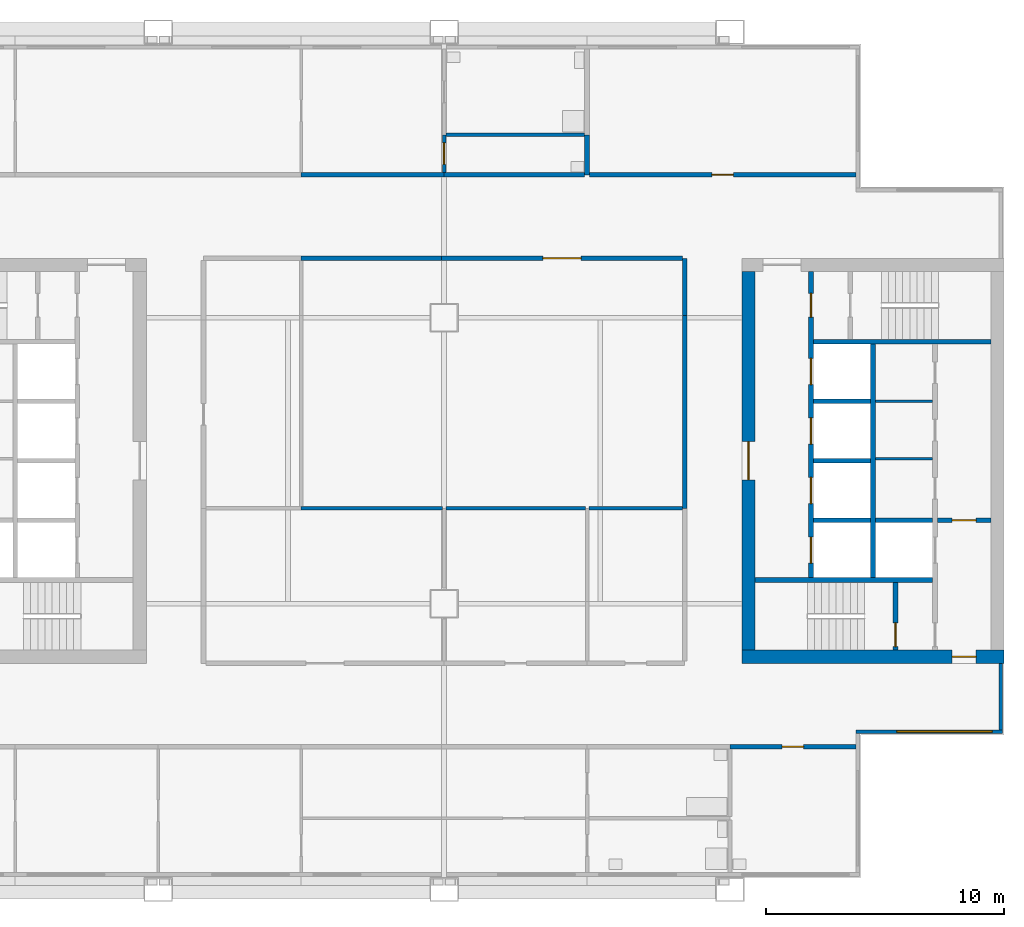
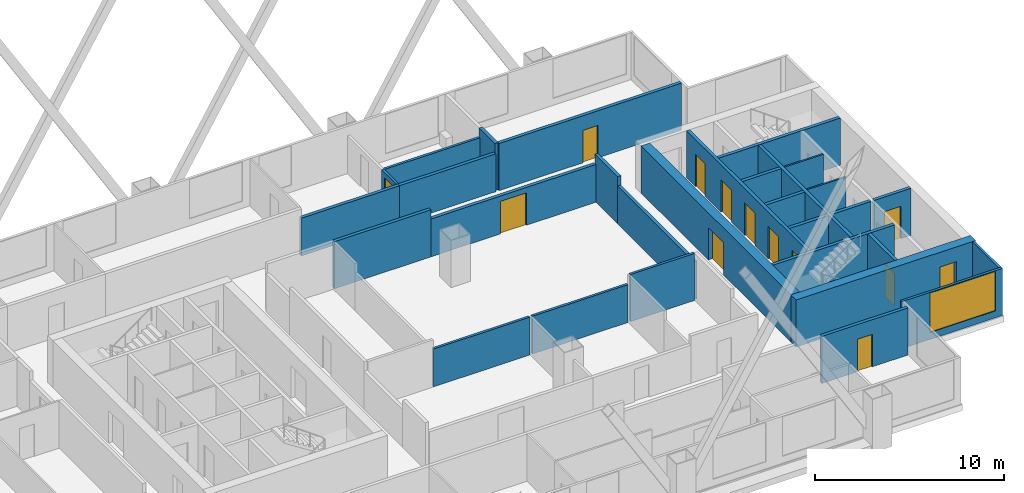
# One storey, part 5 of 9: 30 walls, 13 doors, 1 window, 14 openings.
"""IFC4 building model written with IfcOpenShell, lengths in metres."""

import ifcopenshell
import ifcopenshell.guid

model = None  # the IFC model being written
_history = None  # IfcOwnerHistory: only IFC2X3 demands one
_inside = {}  # id of a spatial element -> (the spatial element, [elements in it])
_under = {}  # id of a project, library or spatial element -> (it, [spatial elements below it])
_declared = {}  # id of a project -> (the project, [libraries it declares])
_typed = {}  # id of a type object -> (the type object, [elements of that type])
_made_of = {}  # id of a material, layer set ... -> (it, [elements and type objects made of it])


def new_model(schema):
    """Start an empty IFC model of exactly this schema.

    Asked for "IFC4X3", IfcOpenShell would pick the latest addendum, in which some entities
    have other attributes; the version numbers below select the first issue.
    IFC2X3 requires an IfcOwnerHistory on every rooted entity: one is made here for all.
    """
    global model, _history
    if schema == "IFC4X3":
        model = ifcopenshell.file(schema_version=(4, 3, 0, 0))
    else:
        model = ifcopenshell.file(schema=schema)
    _inside.clear()
    _under.clear()
    _declared.clear()
    _typed.clear()
    _made_of.clear()
    _history = None
    if model.schema == "IFC2X3":
        org = make("IfcOrganization", Name="unknown")
        user = make(
            "IfcPersonAndOrganization",
            ThePerson=make("IfcPerson", FamilyName="unknown"),
            TheOrganization=org,
        )
        app = make(
            "IfcApplication",
            ApplicationDeveloper=org,
            Version="unknown",
            ApplicationFullName="unknown",
            ApplicationIdentifier="unknown",
        )
        _history = make(
            "IfcOwnerHistory",
            OwningUser=user,
            OwningApplication=app,
            ChangeAction="ADDED",
            CreationDate=0,
        )
    return model


def make(cls, **values):
    """One entity of the class cls with the attributes given. An attribute that is None is left unset."""
    return model.create_entity(
        cls, **{name: value for name, value in values.items() if value is not None}
    )


def rooted(cls, **values):
    """An entity with a GlobalId (a new one), such as an element, a storey or a relation."""
    return make(cls, GlobalId=ifcopenshell.guid.new(), OwnerHistory=_history, **values)


def si_unit(unit_type, name, prefix=None):
    """IfcSIUnit, for example si_unit("LENGTHUNIT", "METRE", prefix="MILLI")."""
    return make("IfcSIUnit", UnitType=unit_type, Prefix=prefix, Name=name)


def assignment(units):
    """IfcUnitAssignment: the units of a project."""
    return None if units is None else make("IfcUnitAssignment", Units=units)


def point(xyz):
    """IfcCartesianPoint."""
    return None if xyz is None else make("IfcCartesianPoint", Coordinates=xyz)


def direction(xyz):
    """IfcDirection."""
    return None if xyz is None else make("IfcDirection", DirectionRatios=xyz)


def frame(location, z_axis=None, x_axis=None):
    """IfcAxis2Placement3D, a coordinate frame: its origin and axes. An axis left out is left unset."""
    return make(
        "IfcAxis2Placement3D",
        Location=point(location),
        Axis=direction(z_axis),
        RefDirection=direction(x_axis),
    )


def frame_2d(location, x_axis=None):
    """IfcAxis2Placement2D, a coordinate frame in the plane: its origin and x axis."""
    return make(
        "IfcAxis2Placement2D", Location=point(location), RefDirection=direction(x_axis)
    )


def origin():
    """The frame at (0, 0, 0) with its axes left unset."""
    return frame((0.0, 0.0, 0.0))


def place(relative_to, where):
    """IfcLocalPlacement: puts the frame where relative to a parent placement (None: the world)."""
    return make(
        "IfcLocalPlacement", PlacementRelTo=relative_to, RelativePlacement=where
    )


def context(
    kind, dimensions, precision=None, world=None, true_north=None, identifier=None
):
    """IfcGeometricRepresentationContext, for example the 3D "Model" context."""
    return make(
        "IfcGeometricRepresentationContext",
        ContextIdentifier=identifier,
        ContextType=kind,
        CoordinateSpaceDimension=dimensions,
        Precision=precision,
        WorldCoordinateSystem=world,
        TrueNorth=true_north,
    )


def subcontext(parent, identifier, kind, view, scale=None):
    """IfcGeometricRepresentationSubContext, for example "Body" below "Model"."""
    return make(
        "IfcGeometricRepresentationSubContext",
        ContextIdentifier=identifier,
        ContextType=kind,
        ParentContext=parent,
        TargetScale=scale,
        TargetView=view,
    )


def project(units=None, contexts=None):
    """IfcProject with its units and contexts."""
    return rooted(
        "IfcProject",
        Name="project",
        RepresentationContexts=contexts,
        UnitsInContext=assignment(units),
    )


def spatial(cls, under=None, at=None, **own):
    """A site, building, storey or space (cls), placed at a placement, below another one or the project."""
    s = rooted(cls, ObjectPlacement=at, **own)
    if under is not None:
        _under.setdefault(under.id(), (under, []))[1].append(s)
    return s


def profile(cls, at=None, kind="AREA", **sizes):
    """A parametric profile (cls). Its sizes go by their IFC names, for example OverallWidth=200.0."""
    return make(cls, ProfileType=kind, Position=at, **sizes)


def rectangle(**sizes):
    """IfcRectangleProfileDef."""
    return profile("IfcRectangleProfileDef", **sizes)


def extrude(swept, where, along, depth):
    """IfcExtrudedAreaSolid: the profile swept, set in the frame where, extruded along a direction by depth."""
    return make(
        "IfcExtrudedAreaSolid",
        SweptArea=swept,
        Position=where,
        ExtrudedDirection=direction(along),
        Depth=depth,
    )


def shape(context_of_items, identifier, shape_type, items):
    """IfcShapeRepresentation: the items that make up one representation, for example the "Body"."""
    return make(
        "IfcShapeRepresentation",
        ContextOfItems=context_of_items,
        RepresentationIdentifier=identifier,
        RepresentationType=shape_type,
        Items=items,
    )


def material(Name=None, Category=None):
    """IfcMaterial."""
    return make("IfcMaterial", Name=Name, Category=Category)


def layer(
    of_material, thickness, ventilated=None, Name=None, Category=None, Priority=None
):
    """IfcMaterialLayer: one layer of a wall or slab, of a material (None: an air gap)."""
    return make(
        "IfcMaterialLayer",
        Material=of_material,
        LayerThickness=thickness,
        IsVentilated=ventilated,
        Name=Name,
        Category=Category,
        Priority=Priority,
    )


def layer_set(layers, Name=None):
    """IfcMaterialLayerSet."""
    return make("IfcMaterialLayerSet", MaterialLayers=layers, LayerSetName=Name)


def made_of(thing, what):
    """Note that an element or type object is made of a material, layer set ...; save() writes the relation."""
    if what is not None:
        _made_of.setdefault(what.id(), (what, []))[1].append(thing)
    return thing


def type_object(cls, material=None, **own):
    """A type object (cls), such as IfcWallType, which elements share."""
    return made_of(rooted(cls, **own), material)


def element(
    cls,
    number,
    at=None,
    inside=None,
    cuts=None,
    type_object=None,
    material=None,
    context=None,
    identifier="Body",
    shape_type=None,
    held_by="IfcProductDefinitionShape",
    body=None,
    shapes=None,
    **own,
):
    """One element of the class cls, such as IfcWall. Its Tag is "e" and its number.

    at: its placement. inside: the storey or other place that contains it. cuts: it is an
    opening in that element (IfcRelVoidsElement). A single representation is given by context,
    identifier, shape_type and body (its items); several are given by shapes. held_by: the class
    of the entity that holds the representations. save() writes the other relations.
    """
    e = rooted(cls, Tag="e%d" % number, ObjectPlacement=at, **own)
    if body is not None:
        shapes = [shape(context, identifier, shape_type, body)]
    if shapes is not None:
        e.Representation = make(held_by, Representations=shapes)
    if inside is not None:
        _inside.setdefault(inside.id(), (inside, []))[1].append(e)
    if cuts is not None:
        rooted(
            "IfcRelVoidsElement", RelatingBuildingElement=cuts, RelatedOpeningElement=e
        )
    if type_object is not None:
        _typed.setdefault(type_object.id(), (type_object, []))[1].append(e)
    return made_of(e, material)


def fill(opening, filler):
    """IfcRelFillsElement: the door or window that sits in an opening."""
    return rooted(
        "IfcRelFillsElement",
        RelatingOpeningElement=opening,
        RelatedBuildingElement=filler,
    )


def aggregate(whole, parts):
    """IfcRelAggregates: a whole, such as a stair, and the parts it consists of."""
    return rooted("IfcRelAggregates", RelatingObject=whole, RelatedObjects=parts)


def save(model, path):
    """Write the relations noted so far, then the file.

    IfcRelAggregates (storeys below a building ...), IfcRelContainedInSpatialStructure (elements
    in a storey), IfcRelDefinesByType, IfcRelAssociatesMaterial and IfcRelDeclares: one each for
    every whole, place, type object, material and project.
    """
    for whole, parts in _under.values():
        aggregate(whole, parts)
    for where, things in _inside.values():
        rooted(
            "IfcRelContainedInSpatialStructure",
            RelatedElements=things,
            RelatingStructure=where,
        )
    for kind, things in _typed.values():
        rooted("IfcRelDefinesByType", RelatedObjects=things, RelatingType=kind)
    for what, things in _made_of.values():
        rooted("IfcRelAssociatesMaterial", RelatedObjects=things, RelatingMaterial=what)
    for by, libraries in _declared.values():
        rooted("IfcRelDeclares", RelatingContext=by, RelatedDefinitions=libraries)
    model.write(path)


model = new_model("IFC4")

# Units and contexts
model_context = context("Model", 3, precision=1e-05, world=origin(), true_north=direction((0.0, 1.0)))
body_context = subcontext(model_context, "Body", "Model", "MODEL_VIEW")
ifc_project = project(units=[si_unit("LENGTHUNIT", "METRE"), si_unit("AREAUNIT", "SQUARE_METRE"), si_unit("VOLUMEUNIT", "CUBIC_METRE"), si_unit("PLANEANGLEUNIT", "RADIAN"), si_unit("MASSUNIT", "GRAM", prefix="KILO")], contexts=[model_context])

# Site, building, storey
site_placement = place(None, origin())
site = spatial("IfcSite", under=ifc_project, at=site_placement, CompositionType="ELEMENT")
building_placement = place(site_placement, origin())
building = spatial("IfcBuilding", under=site, at=building_placement, Name="Kitamizu Gate Tower and Museum", CompositionType="ELEMENT")
storey_placement = place(building_placement, frame((0.0, 0.0, 192.75)))
storey = spatial("IfcBuildingStorey", under=building, at=storey_placement, Name="L51", CompositionType="ELEMENT", Elevation=192.75)

# Wall, opening, door
ifc_material_1 = material(Name="Concrete Fc42", Category="concrete")
ifc_layer_1 = layer(ifc_material_1, 0.550048828125)
ifc_layer_set_1 = layer_set([ifc_layer_1], Name="Concrete Fc42")
wall_type_1 = type_object("IfcWallType", Name="Core wall 550", PredefinedType="SHEAR", material=ifc_layer_set_1)
wall_1_placement = place(storey_placement, frame((59.5, 21.77490234375, 0.0), z_axis=(0.0, 0.0, 1.0), x_axis=(-1.0, 0.0, 0.0)))
wall_1 = element("IfcWall", 1, at=wall_1_placement, inside=storey, type_object=wall_type_1, Name="Core wall ES", PredefinedType="SHEAR", context=body_context, shape_type="SweptSolid", body=[
    extrude(rectangle(XDim=11.0, YDim=0.550048828125, at=frame_2d((5.5, 0.0))), origin(), (0.0, 0.0, 1.0), 3.050048828125),
])
opening_1_placement = place(wall_1_placement, frame((1.175048828125, 0.0, 0.0)))
opening_1 = element("IfcOpeningElement", 2, at=opening_1_placement, cuts=wall_1, Name="Opening L51-047", PredefinedType="OPENING", context=body_context, shape_type="SweptSolid", body=[
    extrude(rectangle(XDim=1.0, YDim=2.10009765625, at=frame_2d((0.5, 1.050048828125))), frame((0.0, 0.28515625, 0.0), z_axis=(0.0, -1.0, 0.0), x_axis=(1.0, 0.0, 0.0)), (0.0, 0.0, 1.0), 0.570068359375),
])
ifc_material_2 = material(Name="Hollow metal door set")
door_type_1 = type_object("IfcDoorType", Name="Fire door 1000", OperationType="NOTDEFINED", PredefinedType="DOOR", material=ifc_material_2)
door_1_placement = place(opening_1_placement, frame((1.0, 0.0, 0.0), x_axis=(-1.0, 0.0, 0.0)))
door_1 = element("IfcDoor", 3, at=door_1_placement, inside=storey, type_object=door_type_1, Name="Fire-fighting lobby door L51-047", OperationType="SINGLE_SWING_RIGHT", OverallHeight=2.10009765625, OverallWidth=1.0, PredefinedType="DOOR", context=body_context, shape_type="SweptSolid", body=[
    extrude(rectangle(XDim=1.0, YDim=2.10009765625, at=frame_2d((0.5, 1.050048828125))), frame((0.0, 0.02490234375, 0.0), z_axis=(0.0, -1.0, 0.0), x_axis=(1.0, 0.0, 0.0)), (0.0, 0.0, 1.0), 0.050048828125),
])
fill(opening_1, door_1)

wall_2_placement = place(storey_placement, frame((48.77490234375, 22.050048828125, 0.0), z_axis=(0.0, 0.0, 1.0), x_axis=(0.0, 1.0, 0.0)))
wall_2 = element("IfcWall", 4, at=wall_2_placement, inside=storey, type_object=wall_type_1, Name="Core wall EARC", PredefinedType="SHEAR", context=body_context, shape_type="SweptSolid", body=[
    extrude(rectangle(XDim=15.89990234375, YDim=0.550048828125, at=frame_2d((7.949951171875, 0.0))), origin(), (0.0, 0.0, 1.0), 3.050048828125),
])
opening_2_placement = place(wall_2_placement, frame((7.14990234375, 0.0, 0.0)))
opening_2 = element("IfcOpeningElement", 5, at=opening_2_placement, cuts=wall_2, Name="Opening L51-049", PredefinedType="OPENING", context=body_context, shape_type="SweptSolid", body=[
    extrude(rectangle(XDim=1.60009765625, YDim=2.10009765625, at=frame_2d((0.800048828125, 1.050048828125))), frame((0.0, 0.28515625, 0.0), z_axis=(0.0, -1.0, 0.0), x_axis=(1.0, 0.0, 0.0)), (0.0, 0.0, 1.0), 0.570068359375),
])
ifc_material_3 = material(Name="Timber door set", Category="wood")
door_type_2 = type_object("IfcDoorType", Name="Entrance door 1600", OperationType="DOUBLE_DOOR_SINGLE_SWING", PredefinedType="DOOR", material=ifc_material_3)
door_2_placement = place(opening_2_placement, origin())
door_2 = element("IfcDoor", 6, at=door_2_placement, inside=storey, type_object=door_type_2, Name="Lobby door L51-049", OperationType="DOUBLE_DOOR_SINGLE_SWING", OverallHeight=2.10009765625, OverallWidth=1.60009765625, PredefinedType="DOOR", context=body_context, shape_type="SweptSolid", body=[
    extrude(rectangle(XDim=1.60009765625, YDim=2.10009765625, at=frame_2d((0.800048828125, 1.050048828125))), frame((0.0, 0.02490234375, 0.0), z_axis=(0.0, -1.0, 0.0), x_axis=(1.0, 0.0, 0.0)), (0.0, 0.0, 1.0), 0.050048828125),
])
fill(opening_2, door_2)

# Walls
ifc_material_4 = material(Name="Gypsum board on galvanised stud")
ifc_layer_2 = layer(ifc_material_4, 0.10009765625)
ifc_layer_set_2 = layer_set([ifc_layer_2], Name="Gypsum board on galvanised stud")
wall_type_2 = type_object("IfcWallType", Name="Partition 100", PredefinedType="PARTITIONING", material=ifc_layer_set_2)
for number, where, z_axis, x_axis, name in (
    (7, (56.5, 30.08203125, 0.0), (0.0, 0.0, 1.0), (-1.0, 0.0, 0.0), "Partition EPF1"),
    (8, (56.5, 32.490966796875, 0.0), (0.0, 0.0, 1.0), (-1.0, 0.0, 0.0), "Partition EPF2"),
):
    element("IfcWall", number, at=place(storey_placement, frame(where, z_axis=z_axis, x_axis=x_axis)), inside=storey, type_object=wall_type_2, Name=name, PredefinedType="PARTITIONING", context=body_context, shape_type="SweptSolid", body=[
        extrude(rectangle(XDim=2.39990234375, YDim=0.10009765625, at=frame_2d((1.199951171875, 0.0))), origin(), (0.0, 0.0, 1.0), 3.050048828125),
    ])

# Wall, opening, door
ifc_material_5 = material(Name="Gypsum board on galvanised stud")
ifc_layer_3 = layer(ifc_material_5, 0.14990234375)
ifc_layer_set_3 = layer_set([ifc_layer_3], Name="Gypsum board on galvanised stud")
wall_type_3 = type_object("IfcWallType", Name="Partition 150", PredefinedType="PARTITIONING", material=ifc_layer_set_3)
wall_3_placement = place(storey_placement, frame((36.0, 42.10009765625, 0.0), z_axis=(0.0, 0.0, 1.0), x_axis=(0.0, 1.0, 0.0)))
wall_3 = element("IfcWall", 9, at=wall_3_placement, inside=storey, type_object=wall_type_3, Name="Partition L51-031", PredefinedType="PARTITIONING", context=body_context, shape_type="SweptSolid", body=[
    extrude(rectangle(XDim=1.579833984375, YDim=0.14990234375, at=frame_2d((0.7900390625, 0.0))), origin(), (0.0, 0.0, 1.0), 2.449951171875),
])
opening_3_placement = place(wall_3_placement, frame((0.340087890625, 0.0, 0.0)))
opening_3 = element("IfcOpeningElement", 10, at=opening_3_placement, cuts=wall_3, Name="Opening L51-015", PredefinedType="OPENING", context=body_context, shape_type="SweptSolid", body=[
    extrude(rectangle(XDim=0.89990234375, YDim=2.10009765625, at=frame_2d((0.449951171875, 1.050048828125))), frame((0.0, 0.0849609375, 0.0), z_axis=(0.0, -1.0, 0.0), x_axis=(1.0, 0.0, 0.0)), (0.0, 0.0, 1.0), 0.169921875),
])
ifc_material_6 = material(Name="Timber door set", Category="wood")
door_type_3 = type_object("IfcDoorType", Name="Bathroom door 900", OperationType="NOTDEFINED", PredefinedType="DOOR", material=ifc_material_6)
door_3_placement = place(opening_3_placement, frame((0.89990234375, 0.0, 0.0), x_axis=(-1.0, 0.0, 0.0)))
door_3 = element("IfcDoor", 11, at=door_3_placement, inside=storey, type_object=door_type_3, Name="Bathroom door L51-015", OperationType="SINGLE_SWING_LEFT", OverallHeight=2.10009765625, OverallWidth=0.89990234375, PredefinedType="DOOR", context=body_context, shape_type="SweptSolid", body=[
    extrude(rectangle(XDim=0.89990234375, YDim=2.10009765625, at=frame_2d((0.449951171875, 1.050048828125))), frame((0.0, 0.02490234375, 0.0), z_axis=(0.0, -1.0, 0.0), x_axis=(1.0, 0.0, 0.0)), (0.0, 0.0, 1.0), 0.050048828125),
])
fill(opening_3, door_3)

# Walls
wall_4_placement = place(storey_placement, frame((36.074951171875, 43.679931640625, 0.0), z_axis=(0.0, 0.0, 1.0), x_axis=(1.0, 0.0, 0.0)))
element("IfcWall", 12, at=wall_4_placement, inside=storey, type_object=wall_type_3, Name="Partition L51-033", PredefinedType="PARTITIONING", context=body_context, shape_type="SweptSolid", body=[
    extrude(rectangle(XDim=5.824951171875, YDim=0.14990234375, at=frame_2d((2.91259765625, 0.0))), origin(), (0.0, 0.0, 1.0), 2.449951171875),
])
wall_5_placement = place(storey_placement, frame((35.925048828125, 28.0, 0.0), z_axis=(0.0, 0.0, 1.0), x_axis=(-1.0, 0.0, 0.0)))
element("IfcWall", 13, at=wall_5_placement, inside=storey, type_object=wall_type_3, Name="Partition L51-074", PredefinedType="PARTITIONING", context=body_context, shape_type="SweptSolid", body=[
    extrude(rectangle(XDim=5.925048828125, YDim=0.14990234375, at=frame_2d((2.96240234375, 0.0))), origin(), (0.0, 0.0, 1.0), 2.449951171875),
])
wall_6_placement = place(storey_placement, frame((41.925048828125, 28.0, 0.0), z_axis=(0.0, 0.0, 1.0), x_axis=(-1.0, 0.0, 0.0)))
element("IfcWall", 14, at=wall_6_placement, inside=storey, type_object=wall_type_3, Name="Partition L51-077", PredefinedType="PARTITIONING", context=body_context, shape_type="SweptSolid", body=[
    extrude(rectangle(XDim=5.85009765625, YDim=0.14990234375, at=frame_2d((2.925048828125, 0.0))), origin(), (0.0, 0.0, 1.0), 2.449951171875),
])
wall_7_placement = place(storey_placement, frame((46.0, 28.0, 0.0), z_axis=(0.0, 0.0, 1.0), x_axis=(-1.0, 0.0, 0.0)))
element("IfcWall", 15, at=wall_7_placement, inside=storey, type_object=wall_type_3, Name="Partition L51-078", PredefinedType="PARTITIONING", context=body_context, shape_type="SweptSolid", body=[
    extrude(rectangle(XDim=3.925048828125, YDim=0.14990234375, at=frame_2d((1.96240234375, 0.0))), origin(), (0.0, 0.0, 1.0), 3.050048828125),
])

# Wall, opening, door
ifc_material_7 = material(Name="Gypsum board on galvanised stud")
ifc_layer_4 = layer(ifc_material_7, 0.199951171875)
ifc_layer_set_4 = layer_set([ifc_layer_4], Name="Gypsum board on galvanised stud")
wall_type_4 = type_object("IfcWallType", Name="Partition 200", PredefinedType="PARTITIONING", material=ifc_layer_set_4)
wall_8_placement = place(storey_placement, frame((53.280029296875, 18.0, 0.0), z_axis=(0.0, 0.0, 1.0), x_axis=(-1.0, 0.0, 0.0)))
wall_8 = element("IfcWall", 16, at=wall_8_placement, inside=storey, type_object=wall_type_4, Name="Partition L51-022", PredefinedType="PARTITIONING", context=body_context, shape_type="SweptSolid", body=[
    extrude(rectangle(XDim=5.280029296875, YDim=0.199951171875, at=frame_2d((2.64013671875, 0.0))), origin(), (0.0, 0.0, 1.0), 3.050048828125),
])
opening_4_placement = place(wall_8_placement, frame((2.18994140625, 0.0, 0.0)))
opening_4 = element("IfcOpeningElement", 17, at=opening_4_placement, cuts=wall_8, Name="Opening L51-009", PredefinedType="OPENING", context=body_context, shape_type="SweptSolid", body=[
    extrude(rectangle(XDim=0.89990234375, YDim=2.10009765625, at=frame_2d((0.449951171875, 1.050048828125))), frame((0.0, 0.10986328125, 0.0), z_axis=(0.0, -1.0, 0.0), x_axis=(1.0, 0.0, 0.0)), (0.0, 0.0, 1.0), 0.219970703125),
])
ifc_material_8 = material(Name="Timber door set", Category="wood")
door_type_4 = type_object("IfcDoorType", Name="Store door 900", OperationType="NOTDEFINED", PredefinedType="DOOR", material=ifc_material_8)
door_4_placement = place(opening_4_placement, origin())
door_4 = element("IfcDoor", 18, at=door_4_placement, inside=storey, type_object=door_type_4, Name="Service entrance door L51-009", OperationType="SINGLE_SWING_RIGHT", OverallHeight=2.10009765625, OverallWidth=0.89990234375, PredefinedType="DOOR", context=body_context, shape_type="SweptSolid", body=[
    extrude(rectangle(XDim=0.89990234375, YDim=2.10009765625, at=frame_2d((0.449951171875, 1.050048828125))), frame((0.0, 0.02490234375, 0.0), z_axis=(0.0, -1.0, 0.0), x_axis=(1.0, 0.0, 0.0)), (0.0, 0.0, 1.0), 0.050048828125),
])
fill(opening_4, door_4)

# Walls
wall_9_placement = place(storey_placement, frame((30.0, 42.0, 0.0), z_axis=(0.0, 0.0, 1.0), x_axis=(1.0, 0.0, 0.0)))
element("IfcWall", 19, at=wall_9_placement, inside=storey, type_object=wall_type_4, Name="Partition L51-032", PredefinedType="PARTITIONING", context=body_context, shape_type="SweptSolid", body=[
    extrude(rectangle(XDim=6.0, YDim=0.199951171875, at=frame_2d((3.0, 0.0))), origin(), (0.0, 0.0, 1.0), 2.449951171875),
])
wall_10_placement = place(storey_placement, frame((42.0, 42.0, 0.0), z_axis=(0.0, 0.0, 1.0), x_axis=(0.0, 1.0, 0.0)))
element("IfcWall", 20, at=wall_10_placement, inside=storey, type_object=wall_type_4, Name="Partition L51-035", PredefinedType="PARTITIONING", context=body_context, shape_type="SweptSolid", body=[
    extrude(rectangle(XDim=1.679931640625, YDim=0.199951171875, at=frame_2d((0.83984375, 0.0))), origin(), (0.0, 0.0, 1.0), 3.050048828125),
])
wall_11_placement = place(storey_placement, frame((36.0, 42.0, 0.0), z_axis=(0.0, 0.0, 1.0), x_axis=(1.0, 0.0, 0.0)))
element("IfcWall", 21, at=wall_11_placement, inside=storey, type_object=wall_type_4, Name="Partition L51-036", PredefinedType="PARTITIONING", context=body_context, shape_type="SweptSolid", body=[
    extrude(rectangle(XDim=5.89990234375, YDim=0.199951171875, at=frame_2d((2.949951171875, 0.0))), origin(), (0.0, 0.0, 1.0), 2.449951171875),
])

# Wall, opening, door
wall_12_placement = place(storey_placement, frame((42.10009765625, 42.0, 0.0), z_axis=(0.0, 0.0, 1.0), x_axis=(1.0, 0.0, 0.0)))
wall_12 = element("IfcWall", 22, at=wall_12_placement, inside=storey, type_object=wall_type_4, Name="Partition L51-037", PredefinedType="PARTITIONING", context=body_context, shape_type="SweptSolid", body=[
    extrude(rectangle(XDim=11.179931640625, YDim=0.199951171875, at=frame_2d((5.58984375, 0.0))), origin(), (0.0, 0.0, 1.0), 3.050048828125),
])
opening_5_placement = place(wall_12_placement, frame((5.139892578125, 0.0, 0.0)))
opening_5 = element("IfcOpeningElement", 23, at=opening_5_placement, cuts=wall_12, Name="Opening L51-024", PredefinedType="OPENING", context=body_context, shape_type="SweptSolid", body=[
    extrude(rectangle(XDim=0.89990234375, YDim=2.10009765625, at=frame_2d((0.449951171875, 1.050048828125))), frame((0.0, 0.10986328125, 0.0), z_axis=(0.0, -1.0, 0.0), x_axis=(1.0, 0.0, 0.0)), (0.0, 0.0, 1.0), 0.219970703125),
])
ifc_material_9 = material(Name="Timber door set", Category="wood")
door_type_5 = type_object("IfcDoorType", Name="Room door 900", OperationType="NOTDEFINED", PredefinedType="DOOR", material=ifc_material_9)
door_5_placement = place(opening_5_placement, origin())
door_5 = element("IfcDoor", 24, at=door_5_placement, inside=storey, type_object=door_type_5, Name="Door L51-024", OperationType="SINGLE_SWING_LEFT", OverallHeight=2.10009765625, OverallWidth=0.89990234375, PredefinedType="DOOR", context=body_context, shape_type="SweptSolid", body=[
    extrude(rectangle(XDim=0.89990234375, YDim=2.10009765625, at=frame_2d((0.449951171875, 1.050048828125))), frame((0.0, 0.02490234375, 0.0), z_axis=(0.0, -1.0, 0.0), x_axis=(1.0, 0.0, 0.0)), (0.0, 0.0, 1.0), 0.050048828125),
])
fill(opening_5, door_5)

# Walls
wall_13_placement = place(storey_placement, frame((46.10009765625, 28.0, 0.0), z_axis=(0.0, 0.0, 1.0), x_axis=(0.0, 1.0, 0.0)))
element("IfcWall", 25, at=wall_13_placement, inside=storey, type_object=wall_type_4, Name="Partition L51-067", PredefinedType="PARTITIONING", context=body_context, shape_type="SweptSolid", body=[
    extrude(rectangle(XDim=8.10009765625, YDim=0.199951171875, at=frame_2d((4.050048828125, 0.0))), origin(), (0.0, 0.0, 1.0), 2.449951171875),
])
wall_14_placement = place(storey_placement, frame((46.10009765625, 36.10009765625, 0.0), z_axis=(0.0, 0.0, 1.0), x_axis=(0.0, 1.0, 0.0)))
element("IfcWall", 26, at=wall_14_placement, inside=storey, type_object=wall_type_4, Name="Partition L51-068", PredefinedType="PARTITIONING", context=body_context, shape_type="SweptSolid", body=[
    extrude(rectangle(XDim=2.39990234375, YDim=0.199951171875, at=frame_2d((1.199951171875, 0.0))), origin(), (0.0, 0.0, 1.0), 3.050048828125),
])

# Wall, opening, door
wall_15_placement = place(storey_placement, frame((46.0, 38.5, 0.0), z_axis=(0.0, 0.0, 1.0), x_axis=(-1.0, 0.0, 0.0)))
wall_15 = element("IfcWall", 27, at=wall_15_placement, inside=storey, type_object=wall_type_4, Name="Partition L51-069", PredefinedType="PARTITIONING", context=body_context, shape_type="SweptSolid", body=[
    extrude(rectangle(XDim=10.10009765625, YDim=0.199951171875, at=frame_2d((5.050048828125, 0.0))), origin(), (0.0, 0.0, 1.0), 2.449951171875),
])
opening_6_placement = place(wall_15_placement, frame((4.25, 0.0, 0.0)))
opening_6 = element("IfcOpeningElement", 28, at=opening_6_placement, cuts=wall_15, Name="Opening L51-029", PredefinedType="OPENING", context=body_context, shape_type="SweptSolid", body=[
    extrude(rectangle(XDim=1.60009765625, YDim=2.10009765625, at=frame_2d((0.800048828125, 1.050048828125))), frame((0.0, 0.10986328125, 0.0), z_axis=(0.0, -1.0, 0.0), x_axis=(1.0, 0.0, 0.0)), (0.0, 0.0, 1.0), 0.219970703125),
])
ifc_material_10 = material(Name="Timber door set", Category="wood")
door_type_6 = type_object("IfcDoorType", Name="Double door 1600", OperationType="DOUBLE_DOOR_SINGLE_SWING", PredefinedType="DOOR", material=ifc_material_10)
door_6_placement = place(opening_6_placement, origin())
door_6 = element("IfcDoor", 29, at=door_6_placement, inside=storey, type_object=door_type_6, Name="Double door L51-029", OperationType="DOUBLE_DOOR_SINGLE_SWING", OverallHeight=2.10009765625, OverallWidth=1.60009765625, PredefinedType="DOOR", context=body_context, shape_type="SweptSolid", body=[
    extrude(rectangle(XDim=1.60009765625, YDim=2.10009765625, at=frame_2d((0.800048828125, 1.050048828125))), frame((0.0, 0.02490234375, 0.0), z_axis=(0.0, -1.0, 0.0), x_axis=(1.0, 0.0, 0.0)), (0.0, 0.0, 1.0), 0.050048828125),
])
fill(opening_6, door_6)

# Wall
wall_16_placement = place(storey_placement, frame((35.89990234375, 38.5, 0.0), z_axis=(0.0, 0.0, 1.0), x_axis=(-1.0, 0.0, 0.0)))
element("IfcWall", 30, at=wall_16_placement, inside=storey, type_object=wall_type_4, Name="Partition L51-070", PredefinedType="PARTITIONING", context=body_context, shape_type="SweptSolid", body=[
    extrude(rectangle(XDim=5.89990234375, YDim=0.199951171875, at=frame_2d((2.949951171875, 0.0))), origin(), (0.0, 0.0, 1.0), 3.050048828125),
])

# Wall, openings, doors
ifc_material_11 = material(Name="Concrete Fc42", Category="concrete")
ifc_layer_5 = layer(ifc_material_11, 0.199951171875)
ifc_layer_set_5 = layer_set([ifc_layer_5], Name="Concrete Fc42")
wall_type_5 = type_object("IfcWallType", Name="Shaft wall 200", PredefinedType="SOLIDWALL", material=ifc_layer_set_5)
wall_17_placement = place(storey_placement, frame((51.39990234375, 25.10009765625, 0.0), z_axis=(0.0, 0.0, 1.0), x_axis=(0.0, 1.0, 0.0)))
wall_17 = element("IfcWall", 31, at=wall_17_placement, inside=storey, type_object=wall_type_5, Name="Shaft wall EEAST", PredefinedType="SOLIDWALL", context=body_context, shape_type="SweptSolid", body=[
    extrude(rectangle(XDim=12.849853515625, YDim=0.199951171875, at=frame_2d((6.4248046875, 0.0))), origin(), (0.0, 0.0, 1.0), 3.050048828125),
])
opening_7_placement = place(wall_17_placement, frame((0.60009765625, 0.0, 0.0)))
opening_7 = element("IfcOpeningElement", 32, at=opening_7_placement, cuts=wall_17, Name="Opening LD", PredefinedType="OPENING", context=body_context, shape_type="SweptSolid", body=[
    extrude(rectangle(XDim=1.10009765625, YDim=2.10009765625, at=frame_2d((0.550048828125, 1.050048828125))), frame((0.0, 0.10986328125, 0.0), z_axis=(0.0, -1.0, 0.0), x_axis=(1.0, 0.0, 0.0)), (0.0, 0.0, 1.0), 0.219970703125),
])
opening_8_placement = place(wall_17_placement, frame((3.10009765625, 0.0, 0.0)))
opening_8 = element("IfcOpeningElement", 33, at=opening_8_placement, cuts=wall_17, Name="Opening LD", PredefinedType="OPENING", context=body_context, shape_type="SweptSolid", body=[
    extrude(rectangle(XDim=1.10009765625, YDim=2.10009765625, at=frame_2d((0.550048828125, 1.050048828125))), frame((0.0, 0.10986328125, 0.0), z_axis=(0.0, -1.0, 0.0), x_axis=(1.0, 0.0, 0.0)), (0.0, 0.0, 1.0), 0.219970703125),
])
opening_9_placement = place(wall_17_placement, frame((5.60009765625, 0.0, 0.0)))
opening_9 = element("IfcOpeningElement", 34, at=opening_9_placement, cuts=wall_17, Name="Opening LD", PredefinedType="OPENING", context=body_context, shape_type="SweptSolid", body=[
    extrude(rectangle(XDim=1.10009765625, YDim=2.10009765625, at=frame_2d((0.550048828125, 1.050048828125))), frame((0.0, 0.10986328125, 0.0), z_axis=(0.0, -1.0, 0.0), x_axis=(1.0, 0.0, 0.0)), (0.0, 0.0, 1.0), 0.219970703125),
])
opening_10_placement = place(wall_17_placement, frame((8.10009765625, 0.0, 0.0)))
opening_10 = element("IfcOpeningElement", 35, at=opening_10_placement, cuts=wall_17, Name="Opening LD", PredefinedType="OPENING", context=body_context, shape_type="SweptSolid", body=[
    extrude(rectangle(XDim=1.10009765625, YDim=2.10009765625, at=frame_2d((0.550048828125, 1.050048828125))), frame((0.0, 0.10986328125, 0.0), z_axis=(0.0, -1.0, 0.0), x_axis=(1.0, 0.0, 0.0)), (0.0, 0.0, 1.0), 0.219970703125),
])
opening_11_placement = place(wall_17_placement, frame((10.925048828125, 0.0, 0.0)))
opening_11 = element("IfcOpeningElement", 36, at=opening_11_placement, cuts=wall_17, Name="Opening L51-044", PredefinedType="OPENING", context=body_context, shape_type="SweptSolid", body=[
    extrude(rectangle(XDim=1.0, YDim=2.10009765625, at=frame_2d((0.5, 1.050048828125))), frame((0.0, 0.10986328125, 0.0), z_axis=(0.0, -1.0, 0.0), x_axis=(1.0, 0.0, 0.0)), (0.0, 0.0, 1.0), 0.219970703125),
])
door_7_placement = place(opening_11_placement, frame((1.0, 0.0, 0.0), x_axis=(-1.0, 0.0, 0.0)))
door_7 = element("IfcDoor", 37, at=door_7_placement, inside=storey, type_object=door_type_1, Name="Stair lobby door L51-044", OperationType="SINGLE_SWING_LEFT", OverallHeight=2.10009765625, OverallWidth=1.0, PredefinedType="DOOR", context=body_context, shape_type="SweptSolid", body=[
    extrude(rectangle(XDim=1.0, YDim=2.10009765625, at=frame_2d((0.5, 1.050048828125))), frame((0.0, 0.02490234375, 0.0), z_axis=(0.0, -1.0, 0.0), x_axis=(1.0, 0.0, 0.0)), (0.0, 0.0, 1.0), 0.050048828125),
])
fill(opening_11, door_7)
ifc_material_12 = material(Name="Hollow metal door set")
door_type_7 = type_object("IfcDoorType", Name="Landing door 1100", OperationType="SLIDING_TO_LEFT", PredefinedType="DOOR", material=ifc_material_12)
door_8_placement = place(opening_7_placement, origin())
door_8 = element("IfcDoor", 38, at=door_8_placement, inside=storey, type_object=door_type_7, Name="Landing door ESV1", OperationType="SLIDING_TO_LEFT", OverallHeight=2.10009765625, OverallWidth=1.10009765625, PredefinedType="DOOR", context=body_context, shape_type="SweptSolid", body=[
    extrude(rectangle(XDim=1.10009765625, YDim=2.10009765625, at=frame_2d((0.550048828125, 1.050048828125))), frame((0.0, 0.02490234375, 0.0), z_axis=(0.0, -1.0, 0.0), x_axis=(1.0, 0.0, 0.0)), (0.0, 0.0, 1.0), 0.050048828125),
])
fill(opening_7, door_8)
door_9_placement = place(opening_8_placement, origin())
door_9 = element("IfcDoor", 39, at=door_9_placement, inside=storey, type_object=door_type_7, Name="Landing door EH1", OperationType="SLIDING_TO_LEFT", OverallHeight=2.10009765625, OverallWidth=1.10009765625, PredefinedType="DOOR", context=body_context, shape_type="SweptSolid", body=[
    extrude(rectangle(XDim=1.10009765625, YDim=2.10009765625, at=frame_2d((0.550048828125, 1.050048828125))), frame((0.0, 0.02490234375, 0.0), z_axis=(0.0, -1.0, 0.0), x_axis=(1.0, 0.0, 0.0)), (0.0, 0.0, 1.0), 0.050048828125),
])
fill(opening_8, door_9)
door_10_placement = place(opening_9_placement, origin())
door_10 = element("IfcDoor", 40, at=door_10_placement, inside=storey, type_object=door_type_7, Name="Landing door EH2", OperationType="SLIDING_TO_LEFT", OverallHeight=2.10009765625, OverallWidth=1.10009765625, PredefinedType="DOOR", context=body_context, shape_type="SweptSolid", body=[
    extrude(rectangle(XDim=1.10009765625, YDim=2.10009765625, at=frame_2d((0.550048828125, 1.050048828125))), frame((0.0, 0.02490234375, 0.0), z_axis=(0.0, -1.0, 0.0), x_axis=(1.0, 0.0, 0.0)), (0.0, 0.0, 1.0), 0.050048828125),
])
fill(opening_9, door_10)
door_11_placement = place(opening_10_placement, origin())
door_11 = element("IfcDoor", 41, at=door_11_placement, inside=storey, type_object=door_type_7, Name="Landing door EH3", OperationType="SLIDING_TO_LEFT", OverallHeight=2.10009765625, OverallWidth=1.10009765625, PredefinedType="DOOR", context=body_context, shape_type="SweptSolid", body=[
    extrude(rectangle(XDim=1.10009765625, YDim=2.10009765625, at=frame_2d((0.550048828125, 1.050048828125))), frame((0.0, 0.02490234375, 0.0), z_axis=(0.0, -1.0, 0.0), x_axis=(1.0, 0.0, 0.0)), (0.0, 0.0, 1.0), 0.050048828125),
])
fill(opening_10, door_11)

# Walls
wall_18_placement = place(storey_placement, frame((54.0, 25.10009765625, 0.0), z_axis=(0.0, 0.0, 1.0), x_axis=(0.0, 1.0, 0.0)))
element("IfcWall", 42, at=wall_18_placement, inside=storey, type_object=wall_type_5, Name="Shaft wall EMID", PredefinedType="SOLIDWALL", context=body_context, shape_type="SweptSolid", body=[
    extrude(rectangle(XDim=9.7998046875, YDim=0.199951171875, at=frame_2d((4.89990234375, 0.0))), origin(), (0.0, 0.0, 1.0), 3.050048828125),
])
for number, where, z_axis, x_axis, name in (
    (43, (56.5, 25.0, 0.0), (0.0, 0.0, 1.0), (-1.0, 0.0, 0.0), "Shaft wall ESB"),
    (44, (58.949951171875, 35.0, 0.0), (0.0, 0.0, 1.0), (-1.0, 0.0, 0.0), "Shaft wall ENB"),
):
    element("IfcWall", number, at=place(storey_placement, frame(where, z_axis=z_axis, x_axis=x_axis)), inside=storey, type_object=wall_type_5, Name=name, PredefinedType="SOLIDWALL", context=body_context, shape_type="SweptSolid", body=[
        extrude(rectangle(XDim=7.449951171875, YDim=0.199951171875, at=frame_2d((3.72509765625, 0.0))), origin(), (0.0, 0.0, 1.0), 3.050048828125),
    ])

# Wall, opening, door
wall_19_placement = place(storey_placement, frame((58.949951171875, 27.5, 0.0), z_axis=(0.0, 0.0, 1.0), x_axis=(-1.0, 0.0, 0.0)))
wall_19 = element("IfcWall", 45, at=wall_19_placement, inside=storey, type_object=wall_type_5, Name="Shaft wall EFFN", PredefinedType="SOLIDWALL", context=body_context, shape_type="SweptSolid", body=[
    extrude(rectangle(XDim=2.25, YDim=0.199951171875, at=frame_2d((1.125, 0.0))), origin(), (0.0, 0.0, 1.0), 3.050048828125),
])
opening_12_placement = place(wall_19_placement, frame((0.625, 0.0, 0.0)))
opening_12 = element("IfcOpeningElement", 46, at=opening_12_placement, cuts=wall_19, Name="Opening L51-046", PredefinedType="OPENING", context=body_context, shape_type="SweptSolid", body=[
    extrude(rectangle(XDim=1.0, YDim=2.10009765625, at=frame_2d((0.5, 1.050048828125))), frame((0.0, 0.10986328125, 0.0), z_axis=(0.0, -1.0, 0.0), x_axis=(1.0, 0.0, 0.0)), (0.0, 0.0, 1.0), 0.219970703125),
])
door_12_placement = place(opening_12_placement, origin())
door_12 = element("IfcDoor", 47, at=door_12_placement, inside=storey, type_object=door_type_1, Name="Fire-fighting lobby door L51-046", OperationType="SINGLE_SWING_RIGHT", OverallHeight=2.10009765625, OverallWidth=1.0, PredefinedType="DOOR", context=body_context, shape_type="SweptSolid", body=[
    extrude(rectangle(XDim=1.0, YDim=2.10009765625, at=frame_2d((0.5, 1.050048828125))), frame((0.0, 0.02490234375, 0.0), z_axis=(0.0, -1.0, 0.0), x_axis=(1.0, 0.0, 0.0)), (0.0, 0.0, 1.0), 0.050048828125),
])
fill(opening_12, door_12)

wall_20_placement = place(storey_placement, frame((54.949951171875, 22.050048828125, 0.0), z_axis=(0.0, 0.0, 1.0), x_axis=(0.0, 1.0, 0.0)))
wall_20 = element("IfcWall", 48, at=wall_20_placement, inside=storey, type_object=wall_type_5, Name="Shaft wall ESZ", PredefinedType="SOLIDWALL", context=body_context, shape_type="SweptSolid", body=[
    extrude(rectangle(XDim=2.849853515625, YDim=0.199951171875, at=frame_2d((1.4248046875, 0.0))), origin(), (0.0, 0.0, 1.0), 3.050048828125),
])
opening_13_placement = place(wall_20_placement, frame((0.14990234375, 0.0, 0.0)))
opening_13 = element("IfcOpeningElement", 49, at=opening_13_placement, cuts=wall_20, Name="Opening L51-042", PredefinedType="OPENING", context=body_context, shape_type="SweptSolid", body=[
    extrude(rectangle(XDim=1.0, YDim=2.10009765625, at=frame_2d((0.5, 1.050048828125))), frame((0.0, 0.10986328125, 0.0), z_axis=(0.0, -1.0, 0.0), x_axis=(1.0, 0.0, 0.0)), (0.0, 0.0, 1.0), 0.219970703125),
])
door_13_placement = place(opening_13_placement, origin())
door_13 = element("IfcDoor", 50, at=door_13_placement, inside=storey, type_object=door_type_1, Name="Stair door L51-042", OperationType="SINGLE_SWING_RIGHT", OverallHeight=2.10009765625, OverallWidth=1.0, PredefinedType="DOOR", context=body_context, shape_type="SweptSolid", body=[
    extrude(rectangle(XDim=1.0, YDim=2.10009765625, at=frame_2d((0.5, 1.050048828125))), frame((0.0, 0.02490234375, 0.0), z_axis=(0.0, -1.0, 0.0), x_axis=(1.0, 0.0, 0.0)), (0.0, 0.0, 1.0), 0.050048828125),
])
fill(opening_13, door_13)

# Walls
for number, where, z_axis, x_axis, name in (
    (51, (56.5, 27.5, 0.0), (0.0, 0.0, 1.0), (-1.0, 0.0, 0.0), "Shaft wall EDVW0"),
    (52, (53.89990234375, 27.5, 0.0), (0.0, 0.0, 1.0), (-1.0, 0.0, 0.0), "Shaft wall EDVE0"),
    (53, (53.89990234375, 30.0, 0.0), (0.0, 0.0, 1.0), (-1.0, 0.0, 0.0), "Shaft wall EDVE1"),
    (54, (53.89990234375, 32.5, 0.0), (0.0, 0.0, 1.0), (-1.0, 0.0, 0.0), "Shaft wall EDVE2"),
):
    element("IfcWall", number, at=place(storey_placement, frame(where, z_axis=z_axis, x_axis=x_axis)), inside=storey, type_object=wall_type_5, Name=name, PredefinedType="SOLIDWALL", context=body_context, shape_type="SweptSolid", body=[
        extrude(rectangle(XDim=2.39990234375, YDim=0.199951171875, at=frame_2d((1.199951171875, 0.0))), origin(), (0.0, 0.0, 1.0), 3.050048828125),
    ])

# Wall, opening, window
ifc_material_13 = material(Name="Bronze anodised aluminium frame with insulated spandrel and tinted glass", Category="aluminium")
ifc_layer_6 = layer(ifc_material_13, 0.14990234375)
ifc_layer_set_6 = layer_set([ifc_layer_6], Name="Bronze anodised aluminium frame with insulated spandrel and tinted glass")
wall_type_6 = type_object("IfcWallType", Name="WINDOW WALL 150 BRONZE FRAME EI 30", PredefinedType="ELEMENTEDWALL", material=ifc_layer_set_6)
wall_21_placement = place(storey_placement, frame((53.2900390625, 18.635009765625, 0.0), z_axis=(0.0, 0.0, 1.0), x_axis=(1.0, 0.0, 0.0)))
wall_21 = element("IfcWall", 55, at=wall_21_placement, inside=storey, type_object=wall_type_6, Name="Window wall south L51", PredefinedType="ELEMENTEDWALL", context=body_context, shape_type="SweptSolid", body=[
    extrude(rectangle(XDim=6.14990234375, YDim=0.14990234375, at=frame_2d((3.074951171875, 0.0))), origin(), (0.0, 0.0, 1.0), 3.050048828125),
])
opening_14_placement = place(wall_21_placement, frame((1.7099609375, 0.0, 0.449951171875)))
opening_14 = element("IfcOpeningElement", 56, at=opening_14_placement, cuts=wall_21, Name="Opening W16", PredefinedType="OPENING", context=body_context, shape_type="SweptSolid", body=[
    extrude(rectangle(XDim=4.0, YDim=2.550048828125, at=frame_2d((2.0, 1.27490234375))), frame((0.0, 0.0849609375, 0.0), z_axis=(0.0, -1.0, 0.0), x_axis=(1.0, 0.0, 0.0)), (0.0, 0.0, 1.0), 0.169921875),
])
ifc_material_14 = material(Name="Bronze anodised aluminium frame, tinted triple glazing", Category="aluminium")
window_type = type_object("IfcWindowType", Name="WINDOW 4000 x 2550 SILL 450", PartitioningType="SINGLE_PANEL", PredefinedType="WINDOW", material=ifc_material_14)
window_placement = place(opening_14_placement, origin())
window = element("IfcWindow", 57, at=window_placement, inside=storey, type_object=window_type, Name="Window W16 L51", OverallHeight=2.550048828125, OverallWidth=4.0, PartitioningType="SINGLE_PANEL", PredefinedType="WINDOW", context=body_context, shape_type="SweptSolid", body=[
    extrude(rectangle(XDim=4.0, YDim=2.550048828125, at=frame_2d((2.0, 1.27490234375))), frame((0.0, 0.030029296875, 0.0), z_axis=(0.0, -1.0, 0.0), x_axis=(1.0, 0.0, 0.0)), (0.0, 0.0, 1.0), 0.06005859375),
])
fill(opening_14, window)

# Wall
wall_22_placement = place(storey_placement, frame((59.364990234375, 18.7099609375, 0.0), z_axis=(0.0, 0.0, 1.0), x_axis=(0.0, 1.0, 0.0)))
element("IfcWall", 58, at=wall_22_placement, inside=storey, type_object=wall_type_6, Name="Window wall east L51", PredefinedType="ELEMENTEDWALL", context=body_context, shape_type="SweptSolid", body=[
    extrude(rectangle(XDim=2.7900390625, YDim=0.14990234375, at=frame_2d((1.39501953125, 0.0))), origin(), (0.0, 0.0, 1.0), 3.050048828125),
])

save(model, "model.ifc")
